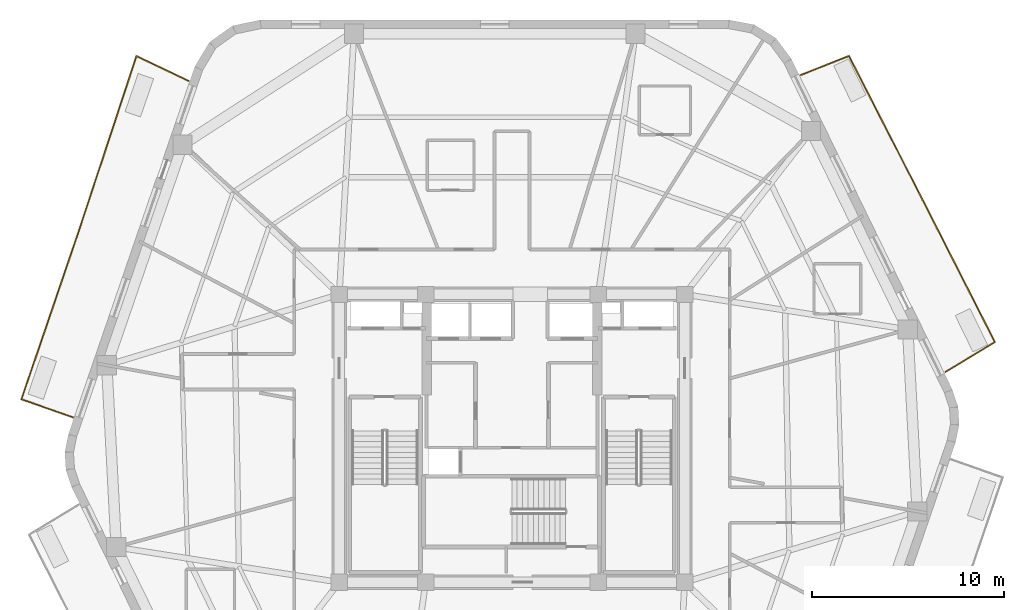
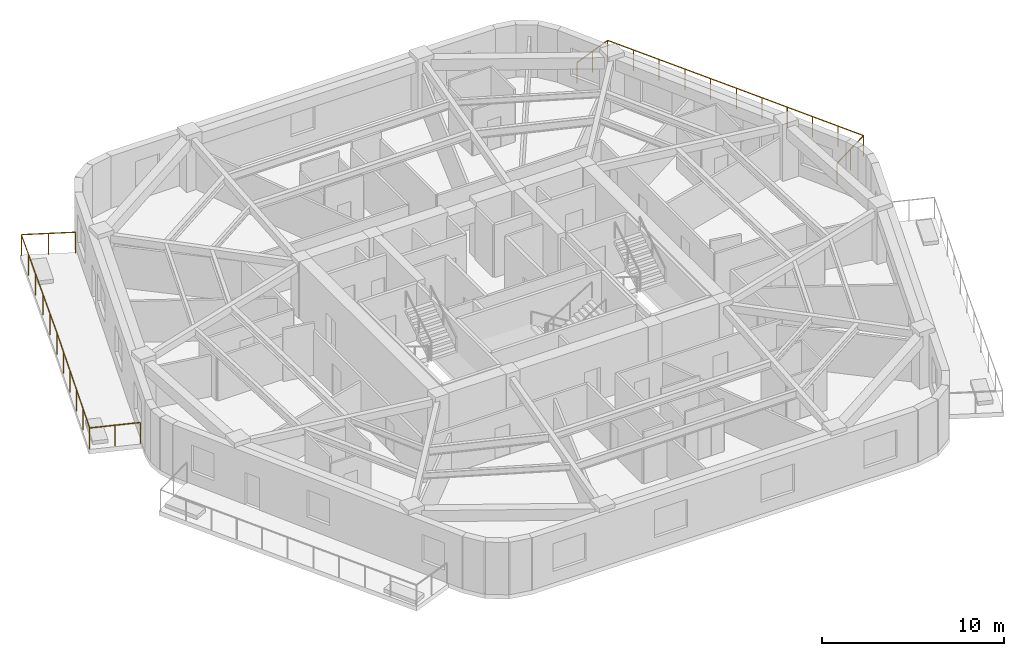
# One storey, part 9 of 9: 2 railings.
"""IFC4 building model written with IfcOpenShell, lengths in metres."""

import ifcopenshell
import ifcopenshell.guid

model = None  # the IFC model being written
_history = None  # IfcOwnerHistory: only IFC2X3 demands one
_inside = {}  # id of a spatial element -> (the spatial element, [elements in it])
_under = {}  # id of a project, library or spatial element -> (it, [spatial elements below it])
_declared = {}  # id of a project -> (the project, [libraries it declares])
_typed = {}  # id of a type object -> (the type object, [elements of that type])
_made_of = {}  # id of a material, layer set ... -> (it, [elements and type objects made of it])


def new_model(schema):
    """Start an empty IFC model of exactly this schema.

    Asked for "IFC4X3", IfcOpenShell would pick the latest addendum, in which some entities
    have other attributes; the version numbers below select the first issue.
    IFC2X3 requires an IfcOwnerHistory on every rooted entity: one is made here for all.
    """
    global model, _history
    if schema == "IFC4X3":
        model = ifcopenshell.file(schema_version=(4, 3, 0, 0))
    else:
        model = ifcopenshell.file(schema=schema)
    _inside.clear()
    _under.clear()
    _declared.clear()
    _typed.clear()
    _made_of.clear()
    _history = None
    if model.schema == "IFC2X3":
        org = make("IfcOrganization", Name="unknown")
        user = make(
            "IfcPersonAndOrganization",
            ThePerson=make("IfcPerson", FamilyName="unknown"),
            TheOrganization=org,
        )
        app = make(
            "IfcApplication",
            ApplicationDeveloper=org,
            Version="unknown",
            ApplicationFullName="unknown",
            ApplicationIdentifier="unknown",
        )
        _history = make(
            "IfcOwnerHistory",
            OwningUser=user,
            OwningApplication=app,
            ChangeAction="ADDED",
            CreationDate=0,
        )
    return model


def make(cls, **values):
    """One entity of the class cls with the attributes given. An attribute that is None is left unset."""
    return model.create_entity(
        cls, **{name: value for name, value in values.items() if value is not None}
    )


def rooted(cls, **values):
    """An entity with a GlobalId (a new one), such as an element, a storey or a relation."""
    return make(cls, GlobalId=ifcopenshell.guid.new(), OwnerHistory=_history, **values)


def si_unit(unit_type, name, prefix=None):
    """IfcSIUnit, for example si_unit("LENGTHUNIT", "METRE", prefix="MILLI")."""
    return make("IfcSIUnit", UnitType=unit_type, Prefix=prefix, Name=name)


def assignment(units):
    """IfcUnitAssignment: the units of a project."""
    return None if units is None else make("IfcUnitAssignment", Units=units)


def point(xyz):
    """IfcCartesianPoint."""
    return None if xyz is None else make("IfcCartesianPoint", Coordinates=xyz)


def direction(xyz):
    """IfcDirection."""
    return None if xyz is None else make("IfcDirection", DirectionRatios=xyz)


def frame(location, z_axis=None, x_axis=None):
    """IfcAxis2Placement3D, a coordinate frame: its origin and axes. An axis left out is left unset."""
    return make(
        "IfcAxis2Placement3D",
        Location=point(location),
        Axis=direction(z_axis),
        RefDirection=direction(x_axis),
    )


def frame_2d(location, x_axis=None):
    """IfcAxis2Placement2D, a coordinate frame in the plane: its origin and x axis."""
    return make(
        "IfcAxis2Placement2D", Location=point(location), RefDirection=direction(x_axis)
    )


def origin():
    """The frame at (0, 0, 0) with its axes left unset."""
    return frame((0.0, 0.0, 0.0))


def origin_2d():
    """The frame at (0, 0) in the plane with its x axis left unset."""
    return frame_2d((0.0, 0.0))


def place(relative_to, where):
    """IfcLocalPlacement: puts the frame where relative to a parent placement (None: the world)."""
    return make(
        "IfcLocalPlacement", PlacementRelTo=relative_to, RelativePlacement=where
    )


def context(
    kind, dimensions, precision=None, world=None, true_north=None, identifier=None
):
    """IfcGeometricRepresentationContext, for example the 3D "Model" context."""
    return make(
        "IfcGeometricRepresentationContext",
        ContextIdentifier=identifier,
        ContextType=kind,
        CoordinateSpaceDimension=dimensions,
        Precision=precision,
        WorldCoordinateSystem=world,
        TrueNorth=true_north,
    )


def subcontext(parent, identifier, kind, view, scale=None):
    """IfcGeometricRepresentationSubContext, for example "Body" below "Model"."""
    return make(
        "IfcGeometricRepresentationSubContext",
        ContextIdentifier=identifier,
        ContextType=kind,
        ParentContext=parent,
        TargetScale=scale,
        TargetView=view,
    )


def project(units=None, contexts=None):
    """IfcProject with its units and contexts."""
    return rooted(
        "IfcProject",
        Name="project",
        RepresentationContexts=contexts,
        UnitsInContext=assignment(units),
    )


def spatial(cls, under=None, at=None, **own):
    """A site, building, storey or space (cls), placed at a placement, below another one or the project."""
    s = rooted(cls, ObjectPlacement=at, **own)
    if under is not None:
        _under.setdefault(under.id(), (under, []))[1].append(s)
    return s


def profile(cls, at=None, kind="AREA", **sizes):
    """A parametric profile (cls). Its sizes go by their IFC names, for example OverallWidth=200.0."""
    return make(cls, ProfileType=kind, Position=at, **sizes)


def rectangle(**sizes):
    """IfcRectangleProfileDef."""
    return profile("IfcRectangleProfileDef", **sizes)


def extrude(swept, where, along, depth):
    """IfcExtrudedAreaSolid: the profile swept, set in the frame where, extruded along a direction by depth."""
    return make(
        "IfcExtrudedAreaSolid",
        SweptArea=swept,
        Position=where,
        ExtrudedDirection=direction(along),
        Depth=depth,
    )


def shape(context_of_items, identifier, shape_type, items):
    """IfcShapeRepresentation: the items that make up one representation, for example the "Body"."""
    return make(
        "IfcShapeRepresentation",
        ContextOfItems=context_of_items,
        RepresentationIdentifier=identifier,
        RepresentationType=shape_type,
        Items=items,
    )


def material(Name=None, Category=None):
    """IfcMaterial."""
    return make("IfcMaterial", Name=Name, Category=Category)


def layer(
    of_material, thickness, ventilated=None, Name=None, Category=None, Priority=None
):
    """IfcMaterialLayer: one layer of a wall or slab, of a material (None: an air gap)."""
    return make(
        "IfcMaterialLayer",
        Material=of_material,
        LayerThickness=thickness,
        IsVentilated=ventilated,
        Name=Name,
        Category=Category,
        Priority=Priority,
    )


def layer_set(layers, Name=None):
    """IfcMaterialLayerSet."""
    return make("IfcMaterialLayerSet", MaterialLayers=layers, LayerSetName=Name)


def made_of(thing, what):
    """Note that an element or type object is made of a material, layer set ...; save() writes the relation."""
    if what is not None:
        _made_of.setdefault(what.id(), (what, []))[1].append(thing)
    return thing


def type_object(cls, material=None, **own):
    """A type object (cls), such as IfcWallType, which elements share."""
    return made_of(rooted(cls, **own), material)


def element(
    cls,
    number,
    at=None,
    inside=None,
    cuts=None,
    type_object=None,
    material=None,
    context=None,
    identifier="Body",
    shape_type=None,
    held_by="IfcProductDefinitionShape",
    body=None,
    shapes=None,
    **own,
):
    """One element of the class cls, such as IfcWall. Its Tag is "e" and its number.

    at: its placement. inside: the storey or other place that contains it. cuts: it is an
    opening in that element (IfcRelVoidsElement). A single representation is given by context,
    identifier, shape_type and body (its items); several are given by shapes. held_by: the class
    of the entity that holds the representations. save() writes the other relations.
    """
    e = rooted(cls, Tag="e%d" % number, ObjectPlacement=at, **own)
    if body is not None:
        shapes = [shape(context, identifier, shape_type, body)]
    if shapes is not None:
        e.Representation = make(held_by, Representations=shapes)
    if inside is not None:
        _inside.setdefault(inside.id(), (inside, []))[1].append(e)
    if cuts is not None:
        rooted(
            "IfcRelVoidsElement", RelatingBuildingElement=cuts, RelatedOpeningElement=e
        )
    if type_object is not None:
        _typed.setdefault(type_object.id(), (type_object, []))[1].append(e)
    return made_of(e, material)


def aggregate(whole, parts):
    """IfcRelAggregates: a whole, such as a stair, and the parts it consists of."""
    return rooted("IfcRelAggregates", RelatingObject=whole, RelatedObjects=parts)


def save(model, path):
    """Write the relations noted so far, then the file.

    IfcRelAggregates (storeys below a building ...), IfcRelContainedInSpatialStructure (elements
    in a storey), IfcRelDefinesByType, IfcRelAssociatesMaterial and IfcRelDeclares: one each for
    every whole, place, type object, material and project.
    """
    for whole, parts in _under.values():
        aggregate(whole, parts)
    for where, things in _inside.values():
        rooted(
            "IfcRelContainedInSpatialStructure",
            RelatedElements=things,
            RelatingStructure=where,
        )
    for kind, things in _typed.values():
        rooted("IfcRelDefinesByType", RelatedObjects=things, RelatingType=kind)
    for what, things in _made_of.values():
        rooted("IfcRelAssociatesMaterial", RelatedObjects=things, RelatingMaterial=what)
    for by, libraries in _declared.values():
        rooted("IfcRelDeclares", RelatingContext=by, RelatedDefinitions=libraries)
    model.write(path)


model = new_model("IFC4")

# Units and contexts
model_context = context("Model", 3, precision=1e-05, world=origin(), true_north=direction((0.0, 1.0)))
body_context = subcontext(model_context, "Body", "Model", "MODEL_VIEW")
ifc_project = project(units=[si_unit("LENGTHUNIT", "METRE"), si_unit("AREAUNIT", "SQUARE_METRE"), si_unit("VOLUMEUNIT", "CUBIC_METRE"), si_unit("PLANEANGLEUNIT", "RADIAN"), si_unit("MASSUNIT", "GRAM", prefix="KILO")], contexts=[model_context])

# Site, building, storey
site_placement = place(None, origin())
site = spatial("IfcSite", under=ifc_project, at=site_placement, CompositionType="ELEMENT")
building_placement = place(site_placement, origin())
building = spatial("IfcBuilding", under=site, at=building_placement, Name="Kilnhurst Terrace Hotel", CompositionType="ELEMENT")
storey_placement = place(building_placement, frame((0.0, 0.0, 240.699951171875)))
storey = spatial("IfcBuildingStorey", under=building, at=storey_placement, Name="L60", CompositionType="ELEMENT", Elevation=240.699951171875)

# Railings
ifc_material = material(Name="Laminated SentryGlas and Stainless Steel AISI 316L Balustrade", Category="steel")
ifc_layer = layer(ifc_material, 0.070068359375, Name="Laminated SentryGlas and Stainless Steel AISI 316L Balustrade")
ifc_layer_set = layer_set([ifc_layer], Name="Laminated SentryGlas and Stainless Steel AISI 316L Balustrade")
railing_type = type_object("IfcRailingType", Name="RLG-BAL-1420", PredefinedType="BALUSTRADE", material=ifc_layer_set)
railing_1_placement = place(storey_placement, frame((15.0546875, 18.933349609375, 0.0)))
element("IfcRailing", 1, at=railing_1_placement, inside=storey, type_object=railing_type, Name="L60 Exterior Terrace Guardrail BAL-L1B.1", PredefinedType="BALUSTRADE", context=body_context, shape_type="SweptSolid", body=[
    extrude(rectangle(XDim=0.048095703125, YDim=0.048095703125, at=origin_2d()), frame((0.0, 0.0, 1.39599609375), z_axis=(0.929913162101, 0.367779160574, 0.0), x_axis=(-0.367779160574, 0.929913162101, 0.0)), (0.0, 0.0, 1.0), 2.694580078125),
    extrude(rectangle(XDim=0.048095703125, YDim=0.048095703125, at=origin_2d()), frame((2.505615234375, 0.990966796875, 1.39599609375), z_axis=(0.455129479154, -0.890425267614, 0.0), x_axis=(0.890425267614, 0.455129479154, 0.0)), (0.0, 0.0, 1.0), 8.4072265625),
    extrude(rectangle(XDim=0.048095703125, YDim=0.048095703125, at=origin_2d()), frame((6.33203125, -6.4951171875, 1.39599609375), z_axis=(0.45338853952, -0.891312982196, 0.0), x_axis=(0.891312982196, 0.45338853952, 0.0)), (0.0, 0.0, 1.0), 8.320068359375),
    extrude(rectangle(XDim=0.048095703125, YDim=0.048095703125, at=origin_2d()), frame((10.104248046875, -13.910888671875, 1.39599609375), z_axis=(-0.854990626614, -0.518643450168, 0.0), x_axis=(0.518643450168, -0.854990626614, 0.0)), (0.0, 0.0, 1.0), 3.008056640625),
    extrude(rectangle(XDim=0.0419921875, YDim=0.0419921875, at=origin_2d()), origin(), (0.0, 0.0, 1.0), 1.371826171875),
    extrude(rectangle(XDim=0.0419921875, YDim=0.0419921875, at=origin_2d()), frame((1.2529296875, 0.49560546875, 0.0)), (0.0, 0.0, 1.0), 1.371826171875),
    extrude(rectangle(XDim=0.0419921875, YDim=0.0419921875, at=origin_2d()), frame((2.505615234375, 0.990966796875, 0.0)), (0.0, 0.0, 1.0), 1.371826171875),
    extrude(rectangle(XDim=0.0419921875, YDim=0.0419921875, at=origin_2d()), frame((3.27099609375, -0.50634765625, 0.0)), (0.0, 0.0, 1.0), 1.371826171875),
    extrude(rectangle(XDim=0.0419921875, YDim=0.0419921875, at=origin_2d()), frame((4.0361328125, -2.00341796875, 0.0)), (0.0, 0.0, 1.0), 1.371826171875),
    extrude(rectangle(XDim=0.0419921875, YDim=0.0419921875, at=origin_2d()), frame((4.801513671875, -3.500732421875, 0.0)), (0.0, 0.0, 1.0), 1.371826171875),
    extrude(rectangle(XDim=0.0419921875, YDim=0.0419921875, at=origin_2d()), frame((5.566650390625, -4.997802734375, 0.0)), (0.0, 0.0, 1.0), 1.371826171875),
    extrude(rectangle(XDim=0.0419921875, YDim=0.0419921875, at=origin_2d()), frame((6.33203125, -6.4951171875, 0.0)), (0.0, 0.0, 1.0), 1.371826171875),
    extrude(rectangle(XDim=0.0419921875, YDim=0.0419921875, at=origin_2d()), frame((7.08642578125, -7.978271484375, 0.0)), (0.0, 0.0, 1.0), 1.371826171875),
    extrude(rectangle(XDim=0.0419921875, YDim=0.0419921875, at=origin_2d()), frame((7.8408203125, -9.46142578125, 0.0)), (0.0, 0.0, 1.0), 1.371826171875),
    extrude(rectangle(XDim=0.0419921875, YDim=0.0419921875, at=origin_2d()), frame((8.595458984375, -10.944580078125, 0.0)), (0.0, 0.0, 1.0), 1.371826171875),
    extrude(rectangle(XDim=0.0419921875, YDim=0.0419921875, at=origin_2d()), frame((9.349853515625, -12.427734375, 0.0)), (0.0, 0.0, 1.0), 1.371826171875),
    extrude(rectangle(XDim=0.0419921875, YDim=0.0419921875, at=origin_2d()), frame((10.104248046875, -13.910888671875, 0.0)), (0.0, 0.0, 1.0), 1.371826171875),
    extrude(rectangle(XDim=0.0419921875, YDim=0.0419921875, at=origin_2d()), frame((8.818359375, -14.69091796875, 0.0)), (0.0, 0.0, 1.0), 1.371826171875),
    extrude(rectangle(XDim=0.0419921875, YDim=0.0419921875, at=origin_2d()), frame((7.532470703125, -15.470947265625, 0.0)), (0.0, 0.0, 1.0), 1.371826171875),
])
railing_2_placement = place(storey_placement, frame((-22.894287109375, 1.1005859375, 0.0)))
element("IfcRailing", 2, at=railing_2_placement, inside=storey, type_object=railing_type, Name="L60 Exterior Terrace Guardrail BAL-L2A.1", PredefinedType="BALUSTRADE", context=body_context, shape_type="SweptSolid", body=[
    extrude(rectangle(XDim=0.048095703125, YDim=0.048095703125, at=origin_2d()), frame((0.0, 0.0, 1.39599609375), z_axis=(-0.943611810029, 0.331054001597, 0.0), x_axis=(-0.331054001597, -0.943611810029, 0.0)), (0.0, 0.0, 1.0), 2.828125),
    extrude(rectangle(XDim=0.048095703125, YDim=0.048095703125, at=origin_2d()), frame((-2.668701171875, 0.936279296875, 1.39599609375), z_axis=(0.322845243604, 0.946451767753, 0.0), x_axis=(-0.946451767753, 0.322845243604, 0.0)), (0.0, 0.0, 1.0), 9.19775390625),
    extrude(rectangle(XDim=0.048095703125, YDim=0.048095703125, at=origin_2d()), frame((0.30078125, 9.6416015625, 1.39599609375), z_axis=(0.316227766017, 0.948683298051, 0.0), x_axis=(-0.948683298051, 0.316227766017, 0.0)), (0.0, 0.0, 1.0), 0.000732421875),
    extrude(rectangle(XDim=0.048095703125, YDim=0.048095703125, at=origin_2d()), frame((0.301025390625, 9.642333984375, 1.39599609375), z_axis=(0.31308682558, 0.949724507238, 0.0), x_axis=(-0.949724507238, 0.31308682558, 0.0)), (0.0, 0.0, 1.0), 9.6591796875),
    extrude(rectangle(XDim=0.048095703125, YDim=0.048095703125, at=origin_2d()), frame((3.3251953125, 18.81591796875, 1.39599609375), z_axis=(0.902564652544, -0.430554349622, 0.0), x_axis=(0.430554349622, 0.902564652544, 0.0)), (0.0, 0.0, 1.0), 2.99169921875),
    extrude(rectangle(XDim=0.0419921875, YDim=0.0419921875, at=origin_2d()), origin(), (0.0, 0.0, 1.0), 1.371826171875),
    extrude(rectangle(XDim=0.0419921875, YDim=0.0419921875, at=origin_2d()), frame((-1.33447265625, 0.46826171875, 0.0)), (0.0, 0.0, 1.0), 1.371826171875),
    extrude(rectangle(XDim=0.0419921875, YDim=0.0419921875, at=origin_2d()), frame((-2.668701171875, 0.936279296875, 0.0)), (0.0, 0.0, 1.0), 1.371826171875),
    extrude(rectangle(XDim=0.0419921875, YDim=0.0419921875, at=origin_2d()), frame((-2.07470703125, 2.67724609375, 0.0)), (0.0, 0.0, 1.0), 1.371826171875),
    extrude(rectangle(XDim=0.0419921875, YDim=0.0419921875, at=origin_2d()), frame((-1.48095703125, 4.41845703125, 0.0)), (0.0, 0.0, 1.0), 1.371826171875),
    extrude(rectangle(XDim=0.0419921875, YDim=0.0419921875, at=origin_2d()), frame((-0.886962890625, 6.159423828125, 0.0)), (0.0, 0.0, 1.0), 1.371826171875),
    extrude(rectangle(XDim=0.0419921875, YDim=0.0419921875, at=origin_2d()), frame((-0.293212890625, 7.900634765625, 0.0)), (0.0, 0.0, 1.0), 1.371826171875),
    extrude(rectangle(XDim=0.0419921875, YDim=0.0419921875, at=origin_2d()), frame((0.30078125, 9.6416015625, 0.0)), (0.0, 0.0, 1.0), 1.371826171875),
    extrude(rectangle(XDim=0.0419921875, YDim=0.0419921875, at=origin_2d()), frame((0.301025390625, 9.642333984375, 0.0)), (0.0, 0.0, 1.0), 1.371826171875),
    extrude(rectangle(XDim=0.0419921875, YDim=0.0419921875, at=origin_2d()), frame((0.90576171875, 11.47705078125, 0.0)), (0.0, 0.0, 1.0), 1.371826171875),
    extrude(rectangle(XDim=0.0419921875, YDim=0.0419921875, at=origin_2d()), frame((1.5107421875, 13.311767578125, 0.0)), (0.0, 0.0, 1.0), 1.371826171875),
    extrude(rectangle(XDim=0.0419921875, YDim=0.0419921875, at=origin_2d()), frame((2.115478515625, 15.146484375, 0.0)), (0.0, 0.0, 1.0), 1.371826171875),
    extrude(rectangle(XDim=0.0419921875, YDim=0.0419921875, at=origin_2d()), frame((2.720458984375, 16.981201171875, 0.0)), (0.0, 0.0, 1.0), 1.371826171875),
    extrude(rectangle(XDim=0.0419921875, YDim=0.0419921875, at=origin_2d()), frame((3.3251953125, 18.81591796875, 0.0)), (0.0, 0.0, 1.0), 1.371826171875),
    extrude(rectangle(XDim=0.0419921875, YDim=0.0419921875, at=origin_2d()), frame((4.67529296875, 18.171875, 0.0)), (0.0, 0.0, 1.0), 1.371826171875),
    extrude(rectangle(XDim=0.0419921875, YDim=0.0419921875, at=origin_2d()), frame((6.025390625, 17.52783203125, 0.0)), (0.0, 0.0, 1.0), 1.371826171875),
])

save(model, "model.ifc")
